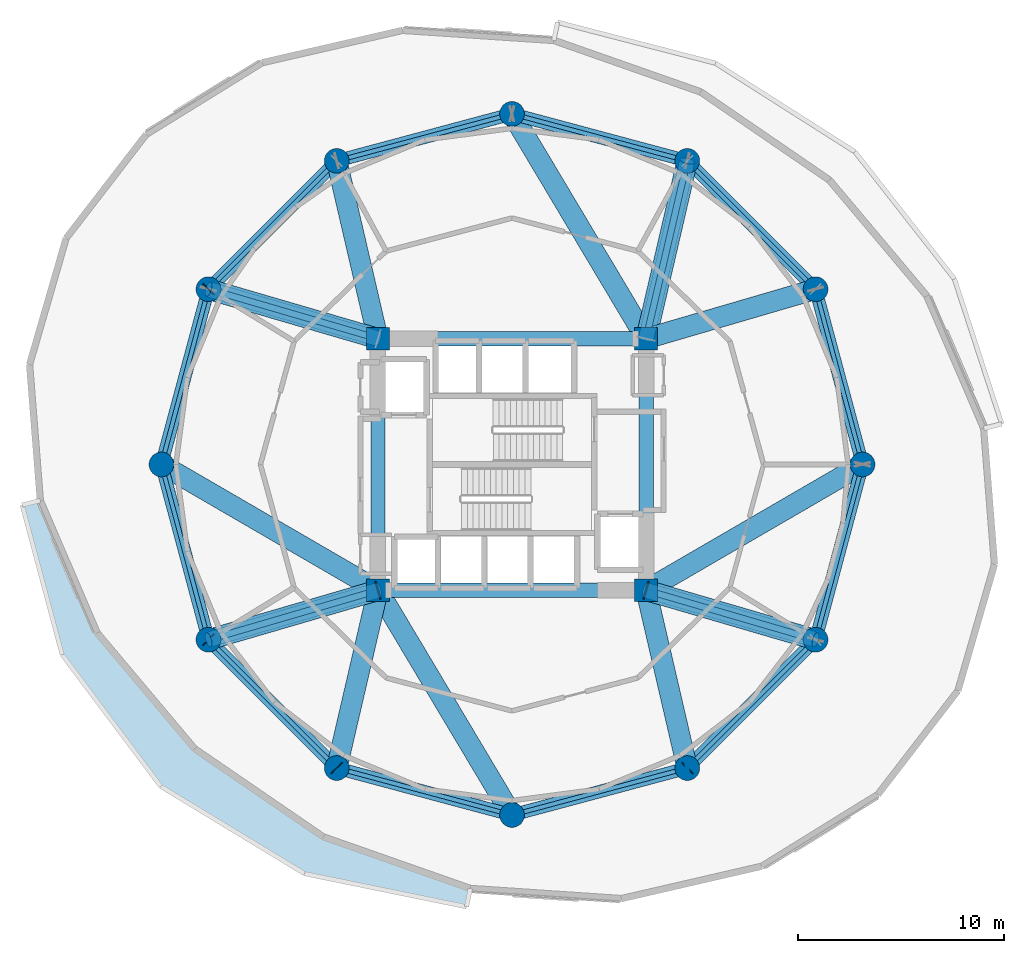
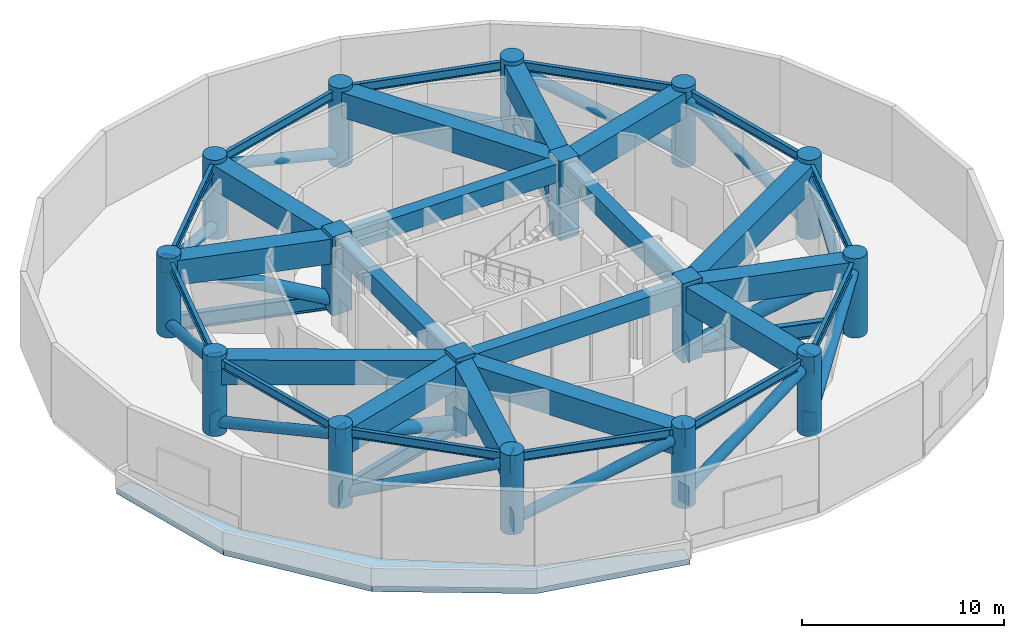
# One storey, part 1 of 6: 32 beams, 16 columns, 16 members, 13 plates, 1 slab.
"""IFC4 building model written with IfcOpenShell, lengths in metres."""

import ifcopenshell
import ifcopenshell.guid

model = None  # the IFC model being written
_history = None  # IfcOwnerHistory: only IFC2X3 demands one
_inside = {}  # id of a spatial element -> (the spatial element, [elements in it])
_under = {}  # id of a project, library or spatial element -> (it, [spatial elements below it])
_declared = {}  # id of a project -> (the project, [libraries it declares])
_typed = {}  # id of a type object -> (the type object, [elements of that type])
_made_of = {}  # id of a material, layer set ... -> (it, [elements and type objects made of it])


def new_model(schema):
    """Start an empty IFC model of exactly this schema.

    Asked for "IFC4X3", IfcOpenShell would pick the latest addendum, in which some entities
    have other attributes; the version numbers below select the first issue.
    IFC2X3 requires an IfcOwnerHistory on every rooted entity: one is made here for all.
    """
    global model, _history
    if schema == "IFC4X3":
        model = ifcopenshell.file(schema_version=(4, 3, 0, 0))
    else:
        model = ifcopenshell.file(schema=schema)
    _inside.clear()
    _under.clear()
    _declared.clear()
    _typed.clear()
    _made_of.clear()
    _history = None
    if model.schema == "IFC2X3":
        org = make("IfcOrganization", Name="unknown")
        user = make(
            "IfcPersonAndOrganization",
            ThePerson=make("IfcPerson", FamilyName="unknown"),
            TheOrganization=org,
        )
        app = make(
            "IfcApplication",
            ApplicationDeveloper=org,
            Version="unknown",
            ApplicationFullName="unknown",
            ApplicationIdentifier="unknown",
        )
        _history = make(
            "IfcOwnerHistory",
            OwningUser=user,
            OwningApplication=app,
            ChangeAction="ADDED",
            CreationDate=0,
        )
    return model


def make(cls, **values):
    """One entity of the class cls with the attributes given. An attribute that is None is left unset."""
    return model.create_entity(
        cls, **{name: value for name, value in values.items() if value is not None}
    )


def rooted(cls, **values):
    """An entity with a GlobalId (a new one), such as an element, a storey or a relation."""
    return make(cls, GlobalId=ifcopenshell.guid.new(), OwnerHistory=_history, **values)


def si_unit(unit_type, name, prefix=None):
    """IfcSIUnit, for example si_unit("LENGTHUNIT", "METRE", prefix="MILLI")."""
    return make("IfcSIUnit", UnitType=unit_type, Prefix=prefix, Name=name)


def assignment(units):
    """IfcUnitAssignment: the units of a project."""
    return None if units is None else make("IfcUnitAssignment", Units=units)


def point(xyz):
    """IfcCartesianPoint."""
    return None if xyz is None else make("IfcCartesianPoint", Coordinates=xyz)


def direction(xyz):
    """IfcDirection."""
    return None if xyz is None else make("IfcDirection", DirectionRatios=xyz)


def frame(location, z_axis=None, x_axis=None):
    """IfcAxis2Placement3D, a coordinate frame: its origin and axes. An axis left out is left unset."""
    return make(
        "IfcAxis2Placement3D",
        Location=point(location),
        Axis=direction(z_axis),
        RefDirection=direction(x_axis),
    )


def frame_2d(location, x_axis=None):
    """IfcAxis2Placement2D, a coordinate frame in the plane: its origin and x axis."""
    return make(
        "IfcAxis2Placement2D", Location=point(location), RefDirection=direction(x_axis)
    )


def origin():
    """The frame at (0, 0, 0) with its axes left unset."""
    return frame((0.0, 0.0, 0.0))


def origin_2d():
    """The frame at (0, 0) in the plane with its x axis left unset."""
    return frame_2d((0.0, 0.0))


def place(relative_to, where):
    """IfcLocalPlacement: puts the frame where relative to a parent placement (None: the world)."""
    return make(
        "IfcLocalPlacement", PlacementRelTo=relative_to, RelativePlacement=where
    )


def context(
    kind, dimensions, precision=None, world=None, true_north=None, identifier=None
):
    """IfcGeometricRepresentationContext, for example the 3D "Model" context."""
    return make(
        "IfcGeometricRepresentationContext",
        ContextIdentifier=identifier,
        ContextType=kind,
        CoordinateSpaceDimension=dimensions,
        Precision=precision,
        WorldCoordinateSystem=world,
        TrueNorth=true_north,
    )


def subcontext(parent, identifier, kind, view, scale=None):
    """IfcGeometricRepresentationSubContext, for example "Body" below "Model"."""
    return make(
        "IfcGeometricRepresentationSubContext",
        ContextIdentifier=identifier,
        ContextType=kind,
        ParentContext=parent,
        TargetScale=scale,
        TargetView=view,
    )


def project(units=None, contexts=None):
    """IfcProject with its units and contexts."""
    return rooted(
        "IfcProject",
        Name="project",
        RepresentationContexts=contexts,
        UnitsInContext=assignment(units),
    )


def spatial(cls, under=None, at=None, **own):
    """A site, building, storey or space (cls), placed at a placement, below another one or the project."""
    s = rooted(cls, ObjectPlacement=at, **own)
    if under is not None:
        _under.setdefault(under.id(), (under, []))[1].append(s)
    return s


def polyline(points):
    """IfcPolyline through the points."""
    return make("IfcPolyline", Points=[point(p) for p in points])


def profile(cls, at=None, kind="AREA", **sizes):
    """A parametric profile (cls). Its sizes go by their IFC names, for example OverallWidth=200.0."""
    return make(cls, ProfileType=kind, Position=at, **sizes)


def rectangle(**sizes):
    """IfcRectangleProfileDef."""
    return profile("IfcRectangleProfileDef", **sizes)


def circle(**sizes):
    """IfcCircleProfileDef."""
    return profile("IfcCircleProfileDef", **sizes)


def hollow_circle(**sizes):
    """IfcCircleHollowProfileDef."""
    return profile("IfcCircleHollowProfileDef", **sizes)


def i_section(**sizes):
    """IfcIShapeProfileDef."""
    return profile("IfcIShapeProfileDef", **sizes)


def outline(outer, holes=None, kind="AREA"):
    """IfcArbitraryClosedProfileDef: a profile drawn as a closed curve; with holes, ...WithVoids."""
    if holes is None:
        return make("IfcArbitraryClosedProfileDef", ProfileType=kind, OuterCurve=outer)
    return make(
        "IfcArbitraryProfileDefWithVoids",
        ProfileType=kind,
        OuterCurve=outer,
        InnerCurves=holes,
    )


def extrude(swept, where, along, depth):
    """IfcExtrudedAreaSolid: the profile swept, set in the frame where, extruded along a direction by depth."""
    return make(
        "IfcExtrudedAreaSolid",
        SweptArea=swept,
        Position=where,
        ExtrudedDirection=direction(along),
        Depth=depth,
    )


def shape(context_of_items, identifier, shape_type, items):
    """IfcShapeRepresentation: the items that make up one representation, for example the "Body"."""
    return make(
        "IfcShapeRepresentation",
        ContextOfItems=context_of_items,
        RepresentationIdentifier=identifier,
        RepresentationType=shape_type,
        Items=items,
    )


def material(Name=None, Category=None):
    """IfcMaterial."""
    return make("IfcMaterial", Name=Name, Category=Category)


def layer(
    of_material, thickness, ventilated=None, Name=None, Category=None, Priority=None
):
    """IfcMaterialLayer: one layer of a wall or slab, of a material (None: an air gap)."""
    return make(
        "IfcMaterialLayer",
        Material=of_material,
        LayerThickness=thickness,
        IsVentilated=ventilated,
        Name=Name,
        Category=Category,
        Priority=Priority,
    )


def layer_set(layers, Name=None):
    """IfcMaterialLayerSet."""
    return make("IfcMaterialLayerSet", MaterialLayers=layers, LayerSetName=Name)


def material_profile(
    of_material, cross_section, Name=None, Category=None, Priority=None
):
    """IfcMaterialProfile: a cross section and its material."""
    return make(
        "IfcMaterialProfile",
        Name=Name,
        Material=of_material,
        Profile=cross_section,
        Priority=Priority,
        Category=Category,
    )


def profile_set(profiles, Name=None, composite=None):
    """IfcMaterialProfileSet."""
    return make(
        "IfcMaterialProfileSet",
        Name=Name,
        MaterialProfiles=profiles,
        CompositeProfile=composite,
    )


def made_of(thing, what):
    """Note that an element or type object is made of a material, layer set ...; save() writes the relation."""
    if what is not None:
        _made_of.setdefault(what.id(), (what, []))[1].append(thing)
    return thing


def type_object(cls, material=None, **own):
    """A type object (cls), such as IfcWallType, which elements share."""
    return made_of(rooted(cls, **own), material)


def element(
    cls,
    number,
    at=None,
    inside=None,
    cuts=None,
    type_object=None,
    material=None,
    context=None,
    identifier="Body",
    shape_type=None,
    held_by="IfcProductDefinitionShape",
    body=None,
    shapes=None,
    **own,
):
    """One element of the class cls, such as IfcWall. Its Tag is "e" and its number.

    at: its placement. inside: the storey or other place that contains it. cuts: it is an
    opening in that element (IfcRelVoidsElement). A single representation is given by context,
    identifier, shape_type and body (its items); several are given by shapes. held_by: the class
    of the entity that holds the representations. save() writes the other relations.
    """
    e = rooted(cls, Tag="e%d" % number, ObjectPlacement=at, **own)
    if body is not None:
        shapes = [shape(context, identifier, shape_type, body)]
    if shapes is not None:
        e.Representation = make(held_by, Representations=shapes)
    if inside is not None:
        _inside.setdefault(inside.id(), (inside, []))[1].append(e)
    if cuts is not None:
        rooted(
            "IfcRelVoidsElement", RelatingBuildingElement=cuts, RelatedOpeningElement=e
        )
    if type_object is not None:
        _typed.setdefault(type_object.id(), (type_object, []))[1].append(e)
    return made_of(e, material)


def aggregate(whole, parts):
    """IfcRelAggregates: a whole, such as a stair, and the parts it consists of."""
    return rooted("IfcRelAggregates", RelatingObject=whole, RelatedObjects=parts)


def save(model, path):
    """Write the relations noted so far, then the file.

    IfcRelAggregates (storeys below a building ...), IfcRelContainedInSpatialStructure (elements
    in a storey), IfcRelDefinesByType, IfcRelAssociatesMaterial and IfcRelDeclares: one each for
    every whole, place, type object, material and project.
    """
    for whole, parts in _under.values():
        aggregate(whole, parts)
    for where, things in _inside.values():
        rooted(
            "IfcRelContainedInSpatialStructure",
            RelatedElements=things,
            RelatingStructure=where,
        )
    for kind, things in _typed.values():
        rooted("IfcRelDefinesByType", RelatedObjects=things, RelatingType=kind)
    for what, things in _made_of.values():
        rooted("IfcRelAssociatesMaterial", RelatedObjects=things, RelatingMaterial=what)
    for by, libraries in _declared.values():
        rooted("IfcRelDeclares", RelatingContext=by, RelatedDefinitions=libraries)
    model.write(path)


model = new_model("IFC4")

# Units and contexts
model_context = context("Model", 3, precision=1e-05, world=origin(), true_north=direction((0.0, 1.0)))
body_context = subcontext(model_context, "Body", "Model", "MODEL_VIEW")
ifc_project = project(units=[si_unit("LENGTHUNIT", "METRE"), si_unit("AREAUNIT", "SQUARE_METRE"), si_unit("VOLUMEUNIT", "CUBIC_METRE"), si_unit("PLANEANGLEUNIT", "RADIAN"), si_unit("MASSUNIT", "GRAM", prefix="KILO")], contexts=[model_context])

# Site, building, storey
site_placement = place(None, origin())
site = spatial("IfcSite", under=ifc_project, at=site_placement, CompositionType="ELEMENT")
building_placement = place(site_placement, origin())
building = spatial("IfcBuilding", under=site, at=building_placement, Name="Solvirekh Grand Hotel", CompositionType="ELEMENT")
storey_placement = place(building_placement, frame((0.0, 0.0, 93.199951171875)))
storey = spatial("IfcBuildingStorey", under=building, at=storey_placement, Name="L23", CompositionType="ELEMENT", Elevation=93.199951171875)

# Columns
ifc_material_1 = material(Name="Concrete C60/75", Category="concrete")
ifc_material_profile_1 = material_profile(ifc_material_1, rectangle(XDim=1.10009765625, YDim=1.10009765625, at=origin_2d()), Name="RC 1100X1100")
ifc_profile_set_1 = profile_set([ifc_material_profile_1], Name="Concrete C60/75")
column_type_1 = type_object("IfcColumnType", Name="Col_Core_1100", PredefinedType="COLUMN", material=ifc_profile_set_1)
for number, where, z_axis, x_axis, name in (
    (1, (-6.5, -6.10009765625, 0.0), (0.0, 0.0, 1.0), (1.0, 0.0, 0.0), "L23 core corner column CC1"),
    (2, (6.5, -6.10009765625, 0.0), (0.0, 0.0, 1.0), (1.0, 0.0, 0.0), "L23 core corner column CC2"),
    (3, (6.5, 6.10009765625, 0.0), (0.0, 0.0, 1.0), (1.0, 0.0, 0.0), "L23 core corner column CC3"),
    (4, (-6.5, 6.10009765625, 0.0), (0.0, 0.0, 1.0), (1.0, 0.0, 0.0), "L23 core corner column CC4"),
):
    element("IfcColumn", number, at=place(storey_placement, frame(where, z_axis=z_axis, x_axis=x_axis)), inside=storey, type_object=column_type_1, Name=name, PredefinedType="COLUMN", context=body_context, shape_type="SweptSolid", body=[
        extrude(rectangle(XDim=1.10009765625, YDim=1.10009765625, at=origin_2d()), origin(), (0.0, 0.0, 1.0), 4.800048828125),
    ])
ifc_material_profile_2 = material_profile(ifc_material_1, circle(Radius=0.60009765625, at=origin_2d()), Name="RC CIRC D1200")
ifc_profile_set_2 = profile_set([ifc_material_profile_2], Name="Concrete C60/75")
column_type_2 = type_object("IfcColumnType", Name="Col_Z1_D1200", PredefinedType="COLUMN", material=ifc_profile_set_2)
for number, where, z_axis, x_axis, name in (
    (5, (17.0, 0.0, 0.0), (0.0, 0.0, 1.0), (1.0, 0.0, 0.0), "L23 perimeter column P01"),
    (6, (14.721923828125, 8.5, 0.0), (0.0, 0.0, 1.0), (1.0, 0.0, 0.0), "L23 perimeter column P02"),
    (7, (8.5, 14.721923828125, 0.0), (0.0, 0.0, 1.0), (1.0, 0.0, 0.0), "L23 perimeter column P03"),
    (8, (0.0, 17.0, 0.0), (0.0, 0.0, 1.0), (1.0, 0.0, 0.0), "L23 perimeter column P04"),
    (9, (-8.5, 14.721923828125, 0.0), (0.0, 0.0, 1.0), (1.0, 0.0, 0.0), "L23 perimeter column P05"),
    (10, (-14.721923828125, 8.5, 0.0), (0.0, 0.0, 1.0), (1.0, 0.0, 0.0), "L23 perimeter column P06"),
    (11, (-17.0, 0.0, 0.0), (0.0, 0.0, 1.0), (1.0, 0.0, 0.0), "L23 perimeter column P07"),
    (12, (-14.721923828125, -8.5, 0.0), (0.0, 0.0, 1.0), (1.0, 0.0, 0.0), "L23 perimeter column P08"),
    (13, (-8.5, -14.721923828125, 0.0), (0.0, 0.0, 1.0), (1.0, 0.0, 0.0), "L23 perimeter column P09"),
    (14, (0.0, -17.0, 0.0), (0.0, 0.0, 1.0), (1.0, 0.0, 0.0), "L23 perimeter column P10"),
    (15, (8.5, -14.721923828125, 0.0), (0.0, 0.0, 1.0), (1.0, 0.0, 0.0), "L23 perimeter column P11"),
    (16, (14.721923828125, -8.5, 0.0), (0.0, 0.0, 1.0), (1.0, 0.0, 0.0), "L23 perimeter column P12"),
):
    element("IfcColumn", number, at=place(storey_placement, frame(where, z_axis=z_axis, x_axis=x_axis)), inside=storey, type_object=column_type_2, Name=name, PredefinedType="COLUMN", context=body_context, shape_type="SweptSolid", body=[
        extrude(circle(Radius=0.60009765625, at=origin_2d()), origin(), (0.0, 0.0, 1.0), 4.800048828125),
    ])

# Beams
ifc_material_profile_3 = material_profile(ifc_material_1, rectangle(XDim=0.699951171875, YDim=1.10009765625, at=origin_2d()), Name="RC BEAM 700X1100")
ifc_profile_set_3 = profile_set([ifc_material_profile_3], Name="Concrete C60/75")
beam_type_1 = type_object("IfcBeamType", Name="Beam_Core_RC1100", PredefinedType="BEAM", material=ifc_profile_set_3)
beam_1_placement = place(storey_placement, frame((-6.5, -6.10009765625, 4.0), z_axis=(1.0, 0.0, 0.0), x_axis=(0.0, 1.0, 0.0)))
element("IfcBeam", 17, at=beam_1_placement, inside=storey, type_object=beam_type_1, Name="L23 core coupling ring beam 1", PredefinedType="BEAM", context=body_context, shape_type="SweptSolid", body=[
    extrude(rectangle(XDim=0.699951171875, YDim=1.10009765625, at=origin_2d()), origin(), (0.0, 0.0, 1.0), 13.0),
])
beam_2_placement = place(storey_placement, frame((6.5, -6.10009765625, 4.0), z_axis=(0.0, 1.0, 0.0), x_axis=(-1.0, 0.0, 0.0)))
element("IfcBeam", 18, at=beam_2_placement, inside=storey, type_object=beam_type_1, Name="L23 core coupling ring beam 2", PredefinedType="BEAM", context=body_context, shape_type="SweptSolid", body=[
    extrude(rectangle(XDim=0.699951171875, YDim=1.10009765625, at=origin_2d()), origin(), (0.0, 0.0, 1.0), 12.2001953125),
])
beam_3_placement = place(storey_placement, frame((6.5, 6.10009765625, 4.0), z_axis=(-1.0, 0.0, 0.0), x_axis=(0.0, -1.0, 0.0)))
element("IfcBeam", 19, at=beam_3_placement, inside=storey, type_object=beam_type_1, Name="L23 core coupling ring beam 3", PredefinedType="BEAM", context=body_context, shape_type="SweptSolid", body=[
    extrude(rectangle(XDim=0.699951171875, YDim=1.10009765625, at=origin_2d()), origin(), (0.0, 0.0, 1.0), 13.0),
])
beam_4_placement = place(storey_placement, frame((-6.5, 6.10009765625, 4.0), z_axis=(0.0, -1.0, 0.0), x_axis=(1.0, 0.0, 0.0)))
element("IfcBeam", 20, at=beam_4_placement, inside=storey, type_object=beam_type_1, Name="L23 core coupling ring beam 4", PredefinedType="BEAM", context=body_context, shape_type="SweptSolid", body=[
    extrude(rectangle(XDim=0.699951171875, YDim=1.10009765625, at=origin_2d()), origin(), (0.0, 0.0, 1.0), 12.2001953125),
])
ifc_material_2 = material(Name="Steel S460", Category="steel")
ifc_material_profile_4 = material_profile(ifc_material_2, i_section(OverallWidth=0.31005859375, OverallDepth=0.927978515625, WebThickness=0.02099609375, FlangeThickness=0.035888671875, FilletRadius=0.02001953125, at=origin_2d()), Name="W920X342")
ifc_profile_set_4 = profile_set([ifc_material_profile_4], Name="Steel S460")
beam_type_2 = type_object("IfcBeamType", Name="Beam_Outrigger_W920", PredefinedType="BEAM", material=ifc_profile_set_4)
beam_5_placement = place(storey_placement, frame((6.5, 6.10009765625, 0.51416015625), z_axis=(0.225969390542, 0.974134402707, 0.0), x_axis=(-0.974134402707, 0.225969390542, 0.0)))
element("IfcBeam", 21, at=beam_5_placement, inside=storey, type_object=beam_type_2, Name="L23 lower outrigger chord 3", PredefinedType="BEAM", context=body_context, shape_type="SweptSolid", body=[
    extrude(i_section(OverallWidth=0.31005859375, OverallDepth=0.927978515625, WebThickness=0.02099609375, FlangeThickness=0.035888671875, FilletRadius=0.02001953125, at=origin_2d()), origin(), (0.0, 0.0, 1.0), 8.850830078125),
])
for number, where, z_axis, x_axis, name in (
    (22, (-6.5, 6.10009765625, 0.51416015625), (-0.959942195467, 0.28019811092, 0.0), (-0.28019811092, -0.959942195467, 0.0), "L23 lower outrigger chord 6"),
    (23, (-6.5, -6.10009765625, 0.51416015625), (-0.959942195467, -0.28019811092, 0.0), (0.28019811092, -0.959942195467, 0.0), "L23 lower outrigger chord 8"),
    (24, (6.5, -6.10009765625, 0.51416015625), (0.959942195467, -0.28019811092, 0.0), (0.28019811092, 0.959942195467, 0.0), "L23 lower outrigger chord 12"),
):
    element("IfcBeam", number, at=place(storey_placement, frame(where, z_axis=z_axis, x_axis=x_axis)), inside=storey, type_object=beam_type_2, Name=name, PredefinedType="BEAM", context=body_context, shape_type="SweptSolid", body=[
        extrude(i_section(OverallWidth=0.31005859375, OverallDepth=0.927978515625, WebThickness=0.02099609375, FlangeThickness=0.035888671875, FilletRadius=0.02001953125, at=origin_2d()), origin(), (0.0, 0.0, 1.0), 8.56494140625),
    ])

# Members
ifc_material_profile_5 = material_profile(ifc_material_2, hollow_circle(Radius=0.304931640625, WallThickness=0.02490234375, at=origin_2d()), Name="CHS 610X25")
ifc_profile_set_5 = profile_set([ifc_material_profile_5], Name="Steel S460")
member_type_1 = type_object("IfcMemberType", Name="Brace_Belt_CHS610", PredefinedType="BRACE", material=ifc_profile_set_5)
member_1_placement = place(storey_placement, frame((17.0, 0.0, 0.51416015625), z_axis=(-0.239867635823, 0.894998564872, 0.376086540788), x_axis=(-0.965911391906, -0.258872908946, 0.0)))
element("IfcMember", 25, at=member_1_placement, inside=storey, type_object=member_type_1, Name="L23 perimeter belt-truss brace 1", PredefinedType="BRACE", context=body_context, shape_type="SweptSolid", body=[
    extrude(hollow_circle(Radius=0.304931640625, WallThickness=0.02490234375, at=origin_2d()), origin(), (0.0, 0.0, 1.0), 9.497314453125),
])
member_2_placement = place(storey_placement, frame((14.721923828125, 8.5, 0.51416015625), z_axis=(-0.655185261047, 0.655185261047, 0.376117730788), x_axis=(-0.707106781187, -0.707106781187, 0.0)))
element("IfcMember", 26, at=member_2_placement, inside=storey, type_object=member_type_1, Name="L23 perimeter belt-truss brace 2", PredefinedType="BRACE", context=body_context, shape_type="SweptSolid", body=[
    extrude(hollow_circle(Radius=0.304931640625, WallThickness=0.02490234375, at=origin_2d()), origin(), (0.0, 0.0, 1.0), 9.496337890625),
])
for number, where, z_axis, x_axis, name in (
    (27, (8.5, 14.721923828125, 0.51416015625), (-0.894998564872, 0.239867635823, 0.376086540788), (-0.258872908946, -0.965911391906, 0.0), "L23 perimeter belt-truss brace 3"),
    (28, (0.0, 17.0, 0.51416015625), (-0.894998564872, -0.239867635823, 0.376086540788), (0.258872908946, -0.965911391906, 0.0), "L23 perimeter belt-truss brace 4"),
):
    element("IfcMember", number, at=place(storey_placement, frame(where, z_axis=z_axis, x_axis=x_axis)), inside=storey, type_object=member_type_1, Name=name, PredefinedType="BRACE", context=body_context, shape_type="SweptSolid", body=[
        extrude(hollow_circle(Radius=0.304931640625, WallThickness=0.02490234375, at=origin_2d()), origin(), (0.0, 0.0, 1.0), 9.497314453125),
    ])
member_3_placement = place(storey_placement, frame((-8.5, 14.721923828125, 0.51416015625), z_axis=(-0.655185261047, -0.655185261047, 0.376117730788), x_axis=(0.707106781187, -0.707106781187, 0.0)))
element("IfcMember", 29, at=member_3_placement, inside=storey, type_object=member_type_1, Name="L23 perimeter belt-truss brace 5", PredefinedType="BRACE", context=body_context, shape_type="SweptSolid", body=[
    extrude(hollow_circle(Radius=0.304931640625, WallThickness=0.02490234375, at=origin_2d()), origin(), (0.0, 0.0, 1.0), 9.496337890625),
])
for number, where, z_axis, x_axis, name in (
    (30, (-14.721923828125, 8.5, 0.51416015625), (-0.239867635823, -0.894998564872, 0.376086540788), (0.965911391906, -0.258872908946, 0.0), "L23 perimeter belt-truss brace 6"),
    (31, (-17.0, 0.0, 0.51416015625), (0.239867635823, -0.894998564872, 0.376086540788), (0.965911391906, 0.258872908946, 0.0), "L23 perimeter belt-truss brace 7"),
):
    element("IfcMember", number, at=place(storey_placement, frame(where, z_axis=z_axis, x_axis=x_axis)), inside=storey, type_object=member_type_1, Name=name, PredefinedType="BRACE", context=body_context, shape_type="SweptSolid", body=[
        extrude(hollow_circle(Radius=0.304931640625, WallThickness=0.02490234375, at=origin_2d()), origin(), (0.0, 0.0, 1.0), 9.497314453125),
    ])
member_4_placement = place(storey_placement, frame((-14.721923828125, -8.5, 0.51416015625), z_axis=(0.655185261047, -0.655185261047, 0.376117730788), x_axis=(0.707106781187, 0.707106781187, 0.0)))
element("IfcMember", 32, at=member_4_placement, inside=storey, type_object=member_type_1, Name="L23 perimeter belt-truss brace 8", PredefinedType="BRACE", context=body_context, shape_type="SweptSolid", body=[
    extrude(hollow_circle(Radius=0.304931640625, WallThickness=0.02490234375, at=origin_2d()), origin(), (0.0, 0.0, 1.0), 9.496337890625),
])
for number, where, z_axis, x_axis, name in (
    (33, (-8.5, -14.721923828125, 0.51416015625), (0.894998564872, -0.239867635823, 0.376086540788), (0.258872908946, 0.965911391906, 0.0), "L23 perimeter belt-truss brace 9"),
    (34, (0.0, -17.0, 0.51416015625), (0.894998564872, 0.239867635823, 0.376086540788), (-0.258872908946, 0.965911391906, 0.0), "L23 perimeter belt-truss brace 10"),
):
    element("IfcMember", number, at=place(storey_placement, frame(where, z_axis=z_axis, x_axis=x_axis)), inside=storey, type_object=member_type_1, Name=name, PredefinedType="BRACE", context=body_context, shape_type="SweptSolid", body=[
        extrude(hollow_circle(Radius=0.304931640625, WallThickness=0.02490234375, at=origin_2d()), origin(), (0.0, 0.0, 1.0), 9.497314453125),
    ])
member_5_placement = place(storey_placement, frame((8.5, -14.721923828125, 0.51416015625), z_axis=(0.655185261047, 0.655185261047, 0.376117730788), x_axis=(-0.707106781187, 0.707106781187, 0.0)))
element("IfcMember", 35, at=member_5_placement, inside=storey, type_object=member_type_1, Name="L23 perimeter belt-truss brace 11", PredefinedType="BRACE", context=body_context, shape_type="SweptSolid", body=[
    extrude(hollow_circle(Radius=0.304931640625, WallThickness=0.02490234375, at=origin_2d()), origin(), (0.0, 0.0, 1.0), 9.496337890625),
])
member_6_placement = place(storey_placement, frame((14.721923828125, -8.5, 0.51416015625), z_axis=(0.239867635823, 0.894998564872, 0.376086540788), x_axis=(-0.965911391906, 0.258872908946, 0.0)))
element("IfcMember", 36, at=member_6_placement, inside=storey, type_object=member_type_1, Name="L23 perimeter belt-truss brace 12", PredefinedType="BRACE", context=body_context, shape_type="SweptSolid", body=[
    extrude(hollow_circle(Radius=0.304931640625, WallThickness=0.02490234375, at=origin_2d()), origin(), (0.0, 0.0, 1.0), 9.497314453125),
])
ifc_material_profile_6 = material_profile(ifc_material_2, hollow_circle(Radius=0.381103515625, WallThickness=0.028076171875, at=origin_2d()), Name="CHS 762X28")
ifc_profile_set_6 = profile_set([ifc_material_profile_6], Name="Steel S460")
member_type_2 = type_object("IfcMemberType", Name="Brace_Outrigger_CHS762", PredefinedType="BRACE", material=ifc_profile_set_6)
member_7_placement = place(storey_placement, frame((6.5, 6.10009765625, 0.51416015625), z_axis=(0.20954936497, 0.903349099597, 0.374231837098), x_axis=(-0.974134402707, 0.225969390542, 0.0)))
element("IfcMember", 37, at=member_7_placement, inside=storey, type_object=member_type_2, Name="L23 outrigger truss diagonal 3", PredefinedType="BRACE", context=body_context, shape_type="SweptSolid", body=[
    extrude(hollow_circle(Radius=0.381103515625, WallThickness=0.028076171875, at=origin_2d()), origin(), (0.0, 0.0, 1.0), 9.544189453125),
])
for number, where, z_axis, x_axis, name in (
    (38, (-6.5, 6.10009765625, 0.51416015625), (-0.885989569864, 0.258612034081, 0.384892579716), (-0.28019811092, -0.959942195467, 0.0), "L23 outrigger truss diagonal 6"),
    (39, (-6.5, -6.10009765625, 0.51416015625), (-0.885989569864, -0.258612034081, 0.384892579716), (0.28019811092, -0.959942195467, 0.0), "L23 outrigger truss diagonal 8"),
    (40, (6.5, -6.10009765625, 0.51416015625), (0.885989569864, -0.258612034081, 0.384892579716), (0.28019811092, 0.959942195467, 0.0), "L23 outrigger truss diagonal 12"),
):
    element("IfcMember", number, at=place(storey_placement, frame(where, z_axis=z_axis, x_axis=x_axis)), inside=storey, type_object=member_type_2, Name=name, PredefinedType="BRACE", context=body_context, shape_type="SweptSolid", body=[
        extrude(hollow_circle(Radius=0.381103515625, WallThickness=0.028076171875, at=origin_2d()), origin(), (0.0, 0.0, 1.0), 9.280029296875),
    ])

# Beams
ifc_material_3 = material(Name="Steel S355", Category="steel")
ifc_material_profile_7 = material_profile(ifc_material_3, i_section(OverallWidth=0.208984375, OverallDepth=0.532958984375, WebThickness=0.010009765625, FlangeThickness=0.014892578125, FilletRadius=0.013916015625, at=origin_2d()), Name="W530X92")
ifc_profile_set_7 = profile_set([ifc_material_profile_7], Name="Steel S355")
beam_type_3 = type_object("IfcBeamType", Name="Spandrel_Ring_W530", PredefinedType="SPANDREL", material=ifc_profile_set_7)
beam_6_placement = place(storey_placement, frame((17.0, 0.0, 4.283935546875), z_axis=(-0.258872908946, 0.965911391906, 0.0), x_axis=(-0.965911391906, -0.258872908946, 0.0)))
element("IfcBeam", 41, at=beam_6_placement, inside=storey, type_object=beam_type_3, Name="L23 perimeter spandrel beam 1", PredefinedType="SPANDREL", context=body_context, shape_type="SweptSolid", body=[
    extrude(i_section(OverallWidth=0.208984375, OverallDepth=0.532958984375, WebThickness=0.010009765625, FlangeThickness=0.014892578125, FilletRadius=0.013916015625, at=origin_2d()), origin(), (0.0, 0.0, 1.0), 8.800048828125),
])
beam_7_placement = place(storey_placement, frame((14.721923828125, 8.5, 4.283935546875), z_axis=(-0.707106781187, 0.707106781187, 0.0), x_axis=(-0.707106781187, -0.707106781187, 0.0)))
element("IfcBeam", 42, at=beam_7_placement, inside=storey, type_object=beam_type_3, Name="L23 perimeter spandrel beam 2", PredefinedType="SPANDREL", context=body_context, shape_type="SweptSolid", body=[
    extrude(i_section(OverallWidth=0.208984375, OverallDepth=0.532958984375, WebThickness=0.010009765625, FlangeThickness=0.014892578125, FilletRadius=0.013916015625, at=origin_2d()), origin(), (0.0, 0.0, 1.0), 8.799072265625),
])
for number, where, z_axis, x_axis, name in (
    (43, (8.5, 14.721923828125, 4.283935546875), (-0.965911391906, 0.258872908946, 0.0), (-0.258872908946, -0.965911391906, 0.0), "L23 perimeter spandrel beam 3"),
    (44, (0.0, 17.0, 4.283935546875), (-0.965911391906, -0.258872908946, 0.0), (0.258872908946, -0.965911391906, 0.0), "L23 perimeter spandrel beam 4"),
):
    element("IfcBeam", number, at=place(storey_placement, frame(where, z_axis=z_axis, x_axis=x_axis)), inside=storey, type_object=beam_type_3, Name=name, PredefinedType="SPANDREL", context=body_context, shape_type="SweptSolid", body=[
        extrude(i_section(OverallWidth=0.208984375, OverallDepth=0.532958984375, WebThickness=0.010009765625, FlangeThickness=0.014892578125, FilletRadius=0.013916015625, at=origin_2d()), origin(), (0.0, 0.0, 1.0), 8.800048828125),
    ])
beam_8_placement = place(storey_placement, frame((-8.5, 14.721923828125, 4.283935546875), z_axis=(-0.707106781187, -0.707106781187, 0.0), x_axis=(0.707106781187, -0.707106781187, 0.0)))
element("IfcBeam", 45, at=beam_8_placement, inside=storey, type_object=beam_type_3, Name="L23 perimeter spandrel beam 5", PredefinedType="SPANDREL", context=body_context, shape_type="SweptSolid", body=[
    extrude(i_section(OverallWidth=0.208984375, OverallDepth=0.532958984375, WebThickness=0.010009765625, FlangeThickness=0.014892578125, FilletRadius=0.013916015625, at=origin_2d()), origin(), (0.0, 0.0, 1.0), 8.799072265625),
])
for number, where, z_axis, x_axis, name in (
    (46, (-14.721923828125, 8.5, 4.283935546875), (-0.258872908946, -0.965911391906, 0.0), (0.965911391906, -0.258872908946, 0.0), "L23 perimeter spandrel beam 6"),
    (47, (-17.0, 0.0, 4.283935546875), (0.258872908946, -0.965911391906, 0.0), (0.965911391906, 0.258872908946, 0.0), "L23 perimeter spandrel beam 7"),
):
    element("IfcBeam", number, at=place(storey_placement, frame(where, z_axis=z_axis, x_axis=x_axis)), inside=storey, type_object=beam_type_3, Name=name, PredefinedType="SPANDREL", context=body_context, shape_type="SweptSolid", body=[
        extrude(i_section(OverallWidth=0.208984375, OverallDepth=0.532958984375, WebThickness=0.010009765625, FlangeThickness=0.014892578125, FilletRadius=0.013916015625, at=origin_2d()), origin(), (0.0, 0.0, 1.0), 8.800048828125),
    ])
beam_9_placement = place(storey_placement, frame((-14.721923828125, -8.5, 4.283935546875), z_axis=(0.707106781187, -0.707106781187, 0.0), x_axis=(0.707106781187, 0.707106781187, 0.0)))
element("IfcBeam", 48, at=beam_9_placement, inside=storey, type_object=beam_type_3, Name="L23 perimeter spandrel beam 8", PredefinedType="SPANDREL", context=body_context, shape_type="SweptSolid", body=[
    extrude(i_section(OverallWidth=0.208984375, OverallDepth=0.532958984375, WebThickness=0.010009765625, FlangeThickness=0.014892578125, FilletRadius=0.013916015625, at=origin_2d()), origin(), (0.0, 0.0, 1.0), 8.799072265625),
])
for number, where, z_axis, x_axis, name in (
    (49, (-8.5, -14.721923828125, 4.283935546875), (0.965911391906, -0.258872908946, 0.0), (0.258872908946, 0.965911391906, 0.0), "L23 perimeter spandrel beam 9"),
    (50, (0.0, -17.0, 4.283935546875), (0.965911391906, 0.258872908946, 0.0), (-0.258872908946, 0.965911391906, 0.0), "L23 perimeter spandrel beam 10"),
):
    element("IfcBeam", number, at=place(storey_placement, frame(where, z_axis=z_axis, x_axis=x_axis)), inside=storey, type_object=beam_type_3, Name=name, PredefinedType="SPANDREL", context=body_context, shape_type="SweptSolid", body=[
        extrude(i_section(OverallWidth=0.208984375, OverallDepth=0.532958984375, WebThickness=0.010009765625, FlangeThickness=0.014892578125, FilletRadius=0.013916015625, at=origin_2d()), origin(), (0.0, 0.0, 1.0), 8.800048828125),
    ])
beam_10_placement = place(storey_placement, frame((8.5, -14.721923828125, 4.283935546875), z_axis=(0.707106781187, 0.707106781187, 0.0), x_axis=(-0.707106781187, 0.707106781187, 0.0)))
element("IfcBeam", 51, at=beam_10_placement, inside=storey, type_object=beam_type_3, Name="L23 perimeter spandrel beam 11", PredefinedType="SPANDREL", context=body_context, shape_type="SweptSolid", body=[
    extrude(i_section(OverallWidth=0.208984375, OverallDepth=0.532958984375, WebThickness=0.010009765625, FlangeThickness=0.014892578125, FilletRadius=0.013916015625, at=origin_2d()), origin(), (0.0, 0.0, 1.0), 8.799072265625),
])
beam_11_placement = place(storey_placement, frame((14.721923828125, -8.5, 4.283935546875), z_axis=(0.258872908946, 0.965911391906, 0.0), x_axis=(-0.965911391906, 0.258872908946, 0.0)))
element("IfcBeam", 52, at=beam_11_placement, inside=storey, type_object=beam_type_3, Name="L23 perimeter spandrel beam 12", PredefinedType="SPANDREL", context=body_context, shape_type="SweptSolid", body=[
    extrude(i_section(OverallWidth=0.208984375, OverallDepth=0.532958984375, WebThickness=0.010009765625, FlangeThickness=0.014892578125, FilletRadius=0.013916015625, at=origin_2d()), origin(), (0.0, 0.0, 1.0), 8.800048828125),
])
ifc_material_4 = material(Name="Concrete C50/60", Category="concrete")
ifc_material_profile_8 = material_profile(ifc_material_4, rectangle(XDim=1.0, YDim=1.5, at=origin_2d()), Name="RC GIRDER 1000X1500")
ifc_profile_set_8 = profile_set([ifc_material_profile_8], Name="Concrete C50/60")
beam_type_4 = type_object("IfcBeamType", Name="TransferGirder_RC1500", PredefinedType="USERDEFINED", material=ifc_profile_set_8)
beam_12_placement = place(storey_placement, frame((6.5, -6.10009765625, 3.800048828125), z_axis=(0.864670076815, 0.50234018181, 0.0), x_axis=(-0.50234018181, 0.864670076815, 0.0)))
element("IfcBeam", 53, at=beam_12_placement, inside=storey, type_object=beam_type_4, Name="L23 radial transfer girder 1", ObjectType="TRANSFER GIRDER", PredefinedType="USERDEFINED", context=body_context, shape_type="SweptSolid", body=[
    extrude(rectangle(XDim=1.0, YDim=1.5, at=origin_2d()), origin(), (0.0, 0.0, 1.0), 12.143310546875),
])
beam_13_placement = place(storey_placement, frame((6.5, 6.10009765625, 3.800048828125), z_axis=(0.959942195467, 0.28019811092, 0.0), x_axis=(-0.28019811092, 0.959942195467, 0.0)))
element("IfcBeam", 54, at=beam_13_placement, inside=storey, type_object=beam_type_4, Name="L23 radial transfer girder 2", ObjectType="TRANSFER GIRDER", PredefinedType="USERDEFINED", context=body_context, shape_type="SweptSolid", body=[
    extrude(rectangle(XDim=1.0, YDim=1.5, at=origin_2d()), origin(), (0.0, 0.0, 1.0), 8.56494140625),
])
beam_14_placement = place(storey_placement, frame((6.5, 6.10009765625, 3.800048828125), z_axis=(0.225969390542, 0.974134402707, 0.0), x_axis=(-0.974134402707, 0.225969390542, 0.0)))
element("IfcBeam", 55, at=beam_14_placement, inside=storey, type_object=beam_type_4, Name="L23 radial transfer girder 3", ObjectType="TRANSFER GIRDER", PredefinedType="USERDEFINED", context=body_context, shape_type="SweptSolid", body=[
    extrude(rectangle(XDim=1.0, YDim=1.5, at=origin_2d()), origin(), (0.0, 0.0, 1.0), 8.850830078125),
])
beam_15_placement = place(storey_placement, frame((6.5, 6.10009765625, 3.800048828125), z_axis=(-0.512179721377, 0.858878299301, 0.0), x_axis=(-0.858878299301, -0.512179721377, 0.0)))
element("IfcBeam", 56, at=beam_15_placement, inside=storey, type_object=beam_type_4, Name="L23 radial transfer girder 4", ObjectType="TRANSFER GIRDER", PredefinedType="USERDEFINED", context=body_context, shape_type="SweptSolid", body=[
    extrude(rectangle(XDim=1.0, YDim=1.5, at=origin_2d()), origin(), (0.0, 0.0, 1.0), 12.69091796875),
])
beam_16_placement = place(storey_placement, frame((-6.5, 6.10009765625, 3.800048828125), z_axis=(-0.225969390542, 0.974134402707, 0.0), x_axis=(-0.974134402707, -0.225969390542, 0.0)))
element("IfcBeam", 57, at=beam_16_placement, inside=storey, type_object=beam_type_4, Name="L23 radial transfer girder 5", ObjectType="TRANSFER GIRDER", PredefinedType="USERDEFINED", context=body_context, shape_type="SweptSolid", body=[
    extrude(rectangle(XDim=1.0, YDim=1.5, at=origin_2d()), origin(), (0.0, 0.0, 1.0), 8.850830078125),
])
beam_17_placement = place(storey_placement, frame((-6.5, 6.10009765625, 3.800048828125), z_axis=(-0.959942195467, 0.28019811092, 0.0), x_axis=(-0.28019811092, -0.959942195467, 0.0)))
element("IfcBeam", 58, at=beam_17_placement, inside=storey, type_object=beam_type_4, Name="L23 radial transfer girder 6", ObjectType="TRANSFER GIRDER", PredefinedType="USERDEFINED", context=body_context, shape_type="SweptSolid", body=[
    extrude(rectangle(XDim=1.0, YDim=1.5, at=origin_2d()), origin(), (0.0, 0.0, 1.0), 8.56494140625),
])
beam_18_placement = place(storey_placement, frame((-6.5, -6.10009765625, 3.800048828125), z_axis=(-0.864670076815, 0.50234018181, 0.0), x_axis=(-0.50234018181, -0.864670076815, 0.0)))
element("IfcBeam", 59, at=beam_18_placement, inside=storey, type_object=beam_type_4, Name="L23 radial transfer girder 7", ObjectType="TRANSFER GIRDER", PredefinedType="USERDEFINED", context=body_context, shape_type="SweptSolid", body=[
    extrude(rectangle(XDim=1.0, YDim=1.5, at=origin_2d()), origin(), (0.0, 0.0, 1.0), 12.143310546875),
])
beam_19_placement = place(storey_placement, frame((-6.5, -6.10009765625, 3.800048828125), z_axis=(-0.959942195467, -0.28019811092, 0.0), x_axis=(0.28019811092, -0.959942195467, 0.0)))
element("IfcBeam", 60, at=beam_19_placement, inside=storey, type_object=beam_type_4, Name="L23 radial transfer girder 8", ObjectType="TRANSFER GIRDER", PredefinedType="USERDEFINED", context=body_context, shape_type="SweptSolid", body=[
    extrude(rectangle(XDim=1.0, YDim=1.5, at=origin_2d()), origin(), (0.0, 0.0, 1.0), 8.56494140625),
])
beam_20_placement = place(storey_placement, frame((-6.5, -6.10009765625, 3.800048828125), z_axis=(-0.225969390542, -0.974134402707, 0.0), x_axis=(0.974134402707, -0.225969390542, 0.0)))
element("IfcBeam", 61, at=beam_20_placement, inside=storey, type_object=beam_type_4, Name="L23 radial transfer girder 9", ObjectType="TRANSFER GIRDER", PredefinedType="USERDEFINED", context=body_context, shape_type="SweptSolid", body=[
    extrude(rectangle(XDim=1.0, YDim=1.5, at=origin_2d()), origin(), (0.0, 0.0, 1.0), 8.850830078125),
])
beam_21_placement = place(storey_placement, frame((-6.5, -6.10009765625, 3.800048828125), z_axis=(0.512179721377, -0.858878299301, 0.0), x_axis=(0.858878299301, 0.512179721377, 0.0)))
element("IfcBeam", 62, at=beam_21_placement, inside=storey, type_object=beam_type_4, Name="L23 radial transfer girder 10", ObjectType="TRANSFER GIRDER", PredefinedType="USERDEFINED", context=body_context, shape_type="SweptSolid", body=[
    extrude(rectangle(XDim=1.0, YDim=1.5, at=origin_2d()), origin(), (0.0, 0.0, 1.0), 12.69091796875),
])
beam_22_placement = place(storey_placement, frame((6.5, -6.10009765625, 3.800048828125), z_axis=(0.225969390542, -0.974134402707, 0.0), x_axis=(0.974134402707, 0.225969390542, 0.0)))
element("IfcBeam", 63, at=beam_22_placement, inside=storey, type_object=beam_type_4, Name="L23 radial transfer girder 11", ObjectType="TRANSFER GIRDER", PredefinedType="USERDEFINED", context=body_context, shape_type="SweptSolid", body=[
    extrude(rectangle(XDim=1.0, YDim=1.5, at=origin_2d()), origin(), (0.0, 0.0, 1.0), 8.850830078125),
])
beam_23_placement = place(storey_placement, frame((6.5, -6.10009765625, 3.800048828125), z_axis=(0.959942195467, -0.28019811092, 0.0), x_axis=(0.28019811092, 0.959942195467, 0.0)))
element("IfcBeam", 64, at=beam_23_placement, inside=storey, type_object=beam_type_4, Name="L23 radial transfer girder 12", ObjectType="TRANSFER GIRDER", PredefinedType="USERDEFINED", context=body_context, shape_type="SweptSolid", body=[
    extrude(rectangle(XDim=1.0, YDim=1.5, at=origin_2d()), origin(), (0.0, 0.0, 1.0), 8.56494140625),
])

# Plates
ifc_layer_1 = layer(ifc_material_2, 0.044921875)
ifc_layer_set_1 = layer_set([ifc_layer_1], Name="Steel S460")
plate_type_1 = type_object("IfcPlateType", Name="GussetPlate_45", PredefinedType="USERDEFINED", material=ifc_layer_set_1)
for number, where, z_axis, x_axis, name in (
    (65, (-14.721923828125, 8.5, 3.510986328125), (0.0, 0.0, 1.0), (-0.707106781187, -0.707106781187, 0.0), "L23 hollow-section node plate GP-L23-BELT-05B"),
    (66, (-17.0, 0.0, 3.510986328125), (0.0, 0.0, 1.0), (-0.258819045103, -0.965925826289, 0.0), "L23 hollow-section node plate GP-L23-BELT-06B"),
    (67, (-17.0, 0.0, -0.060791015625), (0.0, 0.0, 1.0), (0.258819045103, -0.965925826289, 0.0), "L23 hollow-section node plate GP-L23-BELT-07A"),
    (68, (-14.721923828125, -8.5, 3.510986328125), (0.0, 0.0, 1.0), (0.258819045103, -0.965925826289, 0.0), "L23 hollow-section node plate GP-L23-BELT-07B"),
    (69, (-14.721923828125, -8.5, -0.060791015625), (0.0, 0.0, 1.0), (0.707106781187, -0.707106781187, 0.0), "L23 hollow-section node plate GP-L23-BELT-08A"),
    (70, (-8.5, -14.721923828125, 3.510986328125), (0.0, 0.0, 1.0), (0.707106781187, -0.707106781187, 0.0), "L23 hollow-section node plate GP-L23-BELT-08B"),
    (71, (-8.5, -14.721923828125, -0.060791015625), (0.0, 0.0, 1.0), (0.965925826289, -0.258819045103, 0.0), "L23 hollow-section node plate GP-L23-BELT-09A"),
    (72, (0.0, -17.0, 3.510986328125), (0.0, 0.0, 1.0), (0.965925826289, -0.258819045103, 0.0), "L23 hollow-section node plate GP-L23-BELT-09B"),
    (73, (0.0, -17.0, -0.060791015625), (0.0, 0.0, 1.0), (0.965925826289, 0.258819045103, 0.0), "L23 hollow-section node plate GP-L23-BELT-10A"),
    (74, (8.5, -14.721923828125, 3.510986328125), (0.0, 0.0, 1.0), (0.965925826289, 0.258819045103, 0.0), "L23 hollow-section node plate GP-L23-BELT-10B"),
    (75, (8.5, -14.721923828125, -0.060791015625), (0.0, 0.0, 1.0), (0.707106781187, 0.707106781187, 0.0), "L23 hollow-section node plate GP-L23-BELT-11A"),
):
    element("IfcPlate", number, at=place(storey_placement, frame(where, z_axis=z_axis, x_axis=x_axis)), inside=storey, type_object=plate_type_1, Name=name, ObjectType="GUSSET PLATE", PredefinedType="USERDEFINED", context=body_context, shape_type="SweptSolid", body=[
        extrude(rectangle(XDim=0.044921875, YDim=0.75, at=origin_2d()), origin(), (0.0, 0.0, 1.0), 1.14990234375),
    ])
ifc_layer_2 = layer(ifc_material_2, 0.06005859375)
ifc_layer_set_2 = layer_set([ifc_layer_2], Name="Steel S460")
plate_type_2 = type_object("IfcPlateType", Name="GussetPlate_60", PredefinedType="USERDEFINED", material=ifc_layer_set_2)
for number, where, z_axis, x_axis, name in (
    (76, (-6.5, -6.10009765625, -0.185791015625), (0.0, 0.0, 1.0), (-0.959952117146, -0.280164117595, 0.0), "L23 hollow-section node plate GP-L23-OUTR-08A"),
    (77, (6.5, -6.10009765625, -0.185791015625), (0.0, 0.0, 1.0), (0.959952117146, -0.280164117595, 0.0), "L23 hollow-section node plate GP-L23-OUTR-12A"),
):
    element("IfcPlate", number, at=place(storey_placement, frame(where, z_axis=z_axis, x_axis=x_axis)), inside=storey, type_object=plate_type_2, Name=name, ObjectType="GUSSET PLATE", PredefinedType="USERDEFINED", context=body_context, shape_type="SweptSolid", body=[
        extrude(rectangle(XDim=0.06005859375, YDim=0.89990234375, at=origin_2d()), origin(), (0.0, 0.0, 1.0), 1.39990234375),
    ])

# Slab
ifc_layer_3 = layer(ifc_material_4, 0.320068359375)
ifc_layer_set_3 = layer_set([ifc_layer_3], Name="Concrete C50/60")
slab_type = type_object("IfcSlabType", Name="RoofSlab_Podium_320", PredefinedType="ROOF", material=ifc_layer_set_3)
slab_placement = place(storey_placement, frame((0.0, 0.0, -0.320068359375)))
element("IfcSlab", 78, at=slab_placement, inside=storey, type_object=slab_type, Name="L23 setback mechanical south roof cap", PredefinedType="ROOF", context=body_context, shape_type="SweptSolid", body=[
    extrude(outline(polyline([(-23.7529296875, -1.967041015625), (-21.81591796875, -9.221923828125), (-17.032958984375, -15.60888671875), (-10.05810546875, -19.842041015625), (-2.2060546875, -21.447021484375), (-2.02294921875, -20.56591796875), (-9.155029296875, -18.06201171875), (-15.39111328125, -13.7900390625), (-20.12109375, -8.16796875), (-22.8798828125, -1.7470703125), (-23.7529296875, -1.967041015625)])), origin(), (0.0, 0.0, 1.0), 0.320068359375),
])

save(model, "model.ifc")
